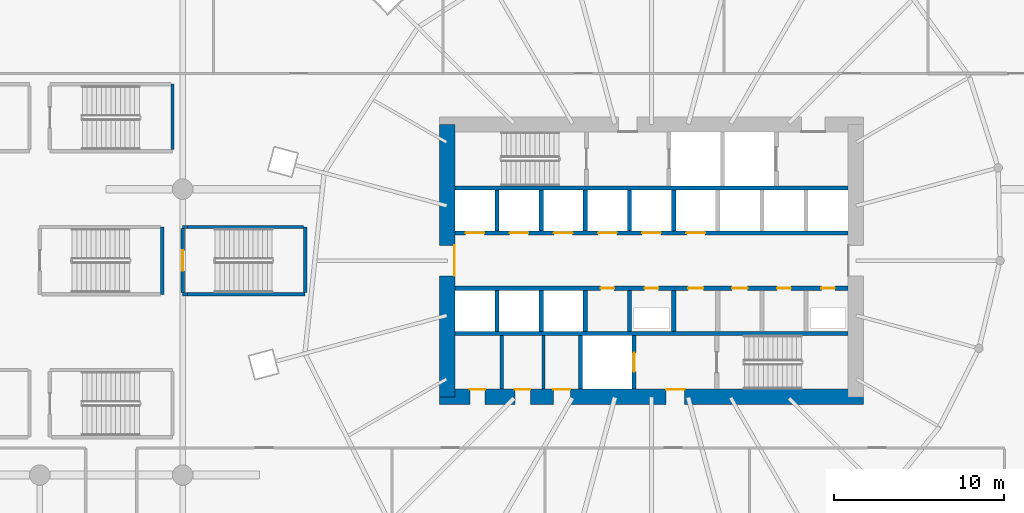
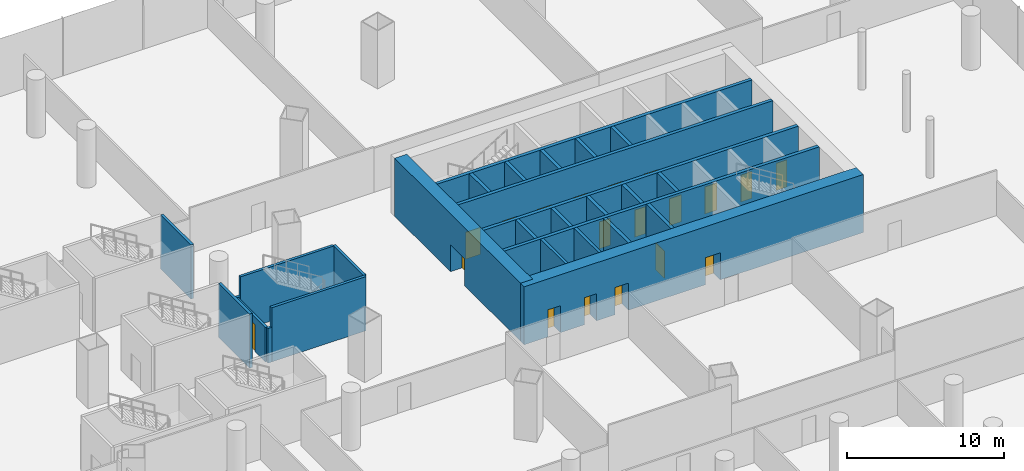
# One storey, part 32 of 43: 28 walls, 19 doors, 19 openings.
"""IFC4 building model written with IfcOpenShell, lengths in metres."""

from ifc_helpers import new_model, si_unit, direction, frame, frame_2d, origin, place, context, subcontext, project, spatial, rectangle, extrude, material, layer, layer_set, type_object, element, fill, save


model = new_model("IFC4")

# Units and contexts
model_context = context("Model", 3, precision=1e-05, world=origin(), true_north=direction((0.0, 1.0)))
body_context = subcontext(model_context, "Body", "Model", "MODEL_VIEW")
ifc_project = project(units=[si_unit("LENGTHUNIT", "METRE"), si_unit("AREAUNIT", "SQUARE_METRE"), si_unit("VOLUMEUNIT", "CUBIC_METRE"), si_unit("PLANEANGLEUNIT", "RADIAN"), si_unit("MASSUNIT", "GRAM", prefix="KILO")], contexts=[model_context])

# Site, building, storey
site_placement = place(None, origin())
site = spatial("IfcSite", under=ifc_project, at=site_placement, CompositionType="ELEMENT")
building_placement = place(site_placement, origin())
building = spatial("IfcBuilding", under=site, at=building_placement, Name="Rimbun Link Towers", CompositionType="ELEMENT")
storey_placement = place(building_placement, frame((0.0, 0.0, 12.0)))
storey = spatial("IfcBuildingStorey", under=building, at=storey_placement, Name="L02", CompositionType="ELEMENT", Elevation=12.0)

# Walls
ifc_material_1 = material(Name="Masonry blockwork", Category="masonry")
ifc_layer_1 = layer(ifc_material_1, 0.199951171875)
ifc_layer_set_1 = layer_set([ifc_layer_1], Name="Core partition 200")
wall_type_1 = type_object("IfcWallType", Name="Core partition 200", PredefinedType="PARTITIONING", material=ifc_layer_set_1)
for number, where, z_axis, x_axis, name in (
    (1, (22.949951171875, -4.39990234375, 0.0), (0.0, 0.0, 1.0), (0.0, -1.0, 0.0), "L02 T2 core wall C1"),
    (2, (25.39990234375, -4.39990234375, 0.0), (0.0, 0.0, 1.0), (0.0, -1.0, 0.0), "L02 T2 core wall C2"),
):
    element("IfcWall", number, at=place(storey_placement, frame(where, z_axis=z_axis, x_axis=x_axis)), inside=storey, type_object=wall_type_1, Name=name, PredefinedType="PARTITIONING", context=body_context, shape_type="SweptSolid", body=[
        extrude(rectangle(XDim=3.150146484375, YDim=0.199951171875, at=frame_2d((1.5751953125, 0.0))), origin(), (0.0, 0.0, 1.0), 4.5),
    ])

# Wall, openings, doors
ifc_material_2 = material(Name="Concrete C60/75", Category="concrete")
ifc_layer_2 = layer(ifc_material_2, 0.89990234375)
ifc_layer_set_2 = layer_set([ifc_layer_2], Name="Core shear wall 900")
wall_type_2 = type_object("IfcWallType", Name="Core shear wall 900", PredefinedType="SHEAR", material=ifc_layer_set_2)
wall_1_placement = place(storey_placement, frame((19.300048828125, -8.0, 0.0), z_axis=(0.0, 0.0, 1.0), x_axis=(1.0, 0.0, 0.0)))
wall_1 = element("IfcWall", 3, at=wall_1_placement, inside=storey, type_object=wall_type_2, Name="L02 T2 core wall S", PredefinedType="SHEAR", context=body_context, shape_type="SweptSolid", body=[
    extrude(rectangle(XDim=24.89990234375, YDim=0.89990234375, at=frame_2d((12.449951171875, 0.0))), origin(), (0.0, 0.0, 1.0), 4.5),
])
opening_1_placement = place(wall_1_placement, frame((13.300048828125, 0.0, 0.0)))
opening_1 = element("IfcOpeningElement", 4, at=opening_1_placement, cuts=wall_1, Name="Opening C2DCF01S", PredefinedType="OPENING", context=body_context, shape_type="SweptSolid", body=[
    extrude(rectangle(XDim=1.10009765625, YDim=2.10009765625, at=frame_2d((0.550048828125, 1.050048828125))), frame((0.0, 0.4599609375, 0.0), z_axis=(0.0, -1.0, 0.0), x_axis=(1.0, 0.0, 0.0)), (0.0, 0.0, 1.0), 0.919921875),
])
opening_2_placement = place(wall_1_placement, frame((1.77490234375, 0.0, 0.0)))
opening_2 = element("IfcOpeningElement", 5, at=opening_2_placement, cuts=wall_1, Name="Opening C2DWC02S", PredefinedType="OPENING", context=body_context, shape_type="SweptSolid", body=[
    extrude(rectangle(XDim=0.89990234375, YDim=2.10009765625, at=frame_2d((0.449951171875, 1.050048828125))), frame((0.0, 0.4599609375, 0.0), z_axis=(0.0, -1.0, 0.0), x_axis=(1.0, 0.0, 0.0)), (0.0, 0.0, 1.0), 0.919921875),
])
opening_3_placement = place(wall_1_placement, frame((4.425048828125, 0.0, 0.0)))
opening_3 = element("IfcOpeningElement", 6, at=opening_3_placement, cuts=wall_1, Name="Opening C2DWC03S", PredefinedType="OPENING", context=body_context, shape_type="SweptSolid", body=[
    extrude(rectangle(XDim=0.89990234375, YDim=2.10009765625, at=frame_2d((0.449951171875, 1.050048828125))), frame((0.0, 0.4599609375, 0.0), z_axis=(0.0, -1.0, 0.0), x_axis=(1.0, 0.0, 0.0)), (0.0, 0.0, 1.0), 0.919921875),
])
opening_4_placement = place(wall_1_placement, frame((6.675048828125, 0.0, 0.0)))
opening_4 = element("IfcOpeningElement", 7, at=opening_4_placement, cuts=wall_1, Name="Opening C2DAW04S", PredefinedType="OPENING", context=body_context, shape_type="SweptSolid", body=[
    extrude(rectangle(XDim=1.0, YDim=2.10009765625, at=frame_2d((0.5, 1.050048828125))), frame((0.0, 0.4599609375, 0.0), z_axis=(0.0, -1.0, 0.0), x_axis=(1.0, 0.0, 0.0)), (0.0, 0.0, 1.0), 0.919921875),
])
ifc_material_3 = material(Name="Timber", Category="wood")
door_type_1 = type_object("IfcDoorType", Name="Accessible WC door", OperationType="SINGLE_SWING_LEFT", PredefinedType="DOOR", material=ifc_material_3)
door_1_placement = place(opening_4_placement, origin())
door_1 = element("IfcDoor", 8, at=door_1_placement, inside=storey, type_object=door_type_1, Name="L02 T2 accessible wc door", OperationType="SINGLE_SWING_LEFT", OverallHeight=2.10009765625, OverallWidth=1.0, PredefinedType="DOOR", context=body_context, shape_type="SweptSolid", body=[
    extrude(rectangle(XDim=1.0, YDim=2.10009765625, at=frame_2d((0.5, 1.050048828125))), frame((0.0, 0.4501953125, 0.0), z_axis=(0.0, -1.0, 0.0), x_axis=(1.0, 0.0, 0.0)), (0.0, 0.0, 1.0), 0.050048828125),
])
fill(opening_4, door_1)
ifc_material_4 = material(Name="Steel fire door set", Category="steel")
door_type_2 = type_object("IfcDoorType", Name="Core fire door single", OperationType="SINGLE_SWING_LEFT", PredefinedType="DOOR", material=ifc_material_4)
door_2_placement = place(opening_1_placement, origin())
door_2 = element("IfcDoor", 9, at=door_2_placement, inside=storey, type_object=door_type_2, Name="L02 T2 firefighting lobby s door", OperationType="SINGLE_SWING_RIGHT", OverallHeight=2.10009765625, OverallWidth=1.10009765625, PredefinedType="DOOR", context=body_context, shape_type="SweptSolid", body=[
    extrude(rectangle(XDim=1.10009765625, YDim=2.10009765625, at=frame_2d((0.550048828125, 1.050048828125))), frame((0.0, 0.4501953125, 0.0), z_axis=(0.0, -1.0, 0.0), x_axis=(1.0, 0.0, 0.0)), (0.0, 0.0, 1.0), 0.050048828125),
])
fill(opening_1, door_2)
ifc_material_5 = material(Name="Timber", Category="wood")
door_type_3 = type_object("IfcDoorType", Name="WC door", OperationType="SINGLE_SWING_LEFT", PredefinedType="DOOR", material=ifc_material_5)
door_3_placement = place(opening_2_placement, origin())
door_3 = element("IfcDoor", 10, at=door_3_placement, inside=storey, type_object=door_type_3, Name="L02 T2 male wc door", OperationType="SINGLE_SWING_RIGHT", OverallHeight=2.10009765625, OverallWidth=0.89990234375, PredefinedType="DOOR", context=body_context, shape_type="SweptSolid", body=[
    extrude(rectangle(XDim=0.89990234375, YDim=2.10009765625, at=frame_2d((0.449951171875, 1.050048828125))), frame((0.0, 0.4501953125, 0.0), z_axis=(0.0, -1.0, 0.0), x_axis=(1.0, 0.0, 0.0)), (0.0, 0.0, 1.0), 0.050048828125),
])
fill(opening_2, door_3)
door_4_placement = place(opening_3_placement, origin())
door_4 = element("IfcDoor", 11, at=door_4_placement, inside=storey, type_object=door_type_3, Name="L02 T2 female wc door", OperationType="SINGLE_SWING_RIGHT", OverallHeight=2.10009765625, OverallWidth=0.89990234375, PredefinedType="DOOR", context=body_context, shape_type="SweptSolid", body=[
    extrude(rectangle(XDim=0.89990234375, YDim=2.10009765625, at=frame_2d((0.449951171875, 1.050048828125))), frame((0.0, 0.4501953125, 0.0), z_axis=(0.0, -1.0, 0.0), x_axis=(1.0, 0.0, 0.0)), (0.0, 0.0, 1.0), 0.050048828125),
])
fill(opening_3, door_4)

# Wall, opening, door
wall_2_placement = place(storey_placement, frame((19.75, -8.0, 0.0), z_axis=(0.0, 0.0, 1.0), x_axis=(0.0, 1.0, 0.0)))
wall_2 = element("IfcWall", 12, at=wall_2_placement, inside=storey, type_object=wall_type_2, Name="L02 T2 core wall W", PredefinedType="SHEAR", context=body_context, shape_type="SweptSolid", body=[
    extrude(rectangle(XDim=16.0, YDim=0.89990234375, at=frame_2d((8.0, 0.0))), origin(), (0.0, 0.0, 1.0), 4.5),
])
opening_5_placement = place(wall_2_placement, frame((7.10009765625, 0.0, 0.0)))
opening_5 = element("IfcOpeningElement", 13, at=opening_5_placement, cuts=wall_2, Name="Opening C2DCL01W", PredefinedType="OPENING", context=body_context, shape_type="SweptSolid", body=[
    extrude(rectangle(XDim=1.800048828125, YDim=2.10009765625, at=frame_2d((0.89990234375, 1.050048828125))), frame((0.0, 0.4599609375, 0.0), z_axis=(0.0, -1.0, 0.0), x_axis=(1.0, 0.0, 0.0)), (0.0, 0.0, 1.0), 0.919921875),
])
ifc_material_6 = material(Name="Steel fire door set", Category="steel")
door_type_4 = type_object("IfcDoorType", Name="Core lobby door double", OperationType="DOUBLE_DOOR_SINGLE_SWING", PredefinedType="DOOR", material=ifc_material_6)
door_5_placement = place(opening_5_placement, origin())
door_5 = element("IfcDoor", 14, at=door_5_placement, inside=storey, type_object=door_type_4, Name="L02 T2 lift lobby door", OperationType="DOUBLE_DOOR_SINGLE_SWING", OverallHeight=2.10009765625, OverallWidth=1.800048828125, PredefinedType="DOOR", context=body_context, shape_type="SweptSolid", body=[
    extrude(rectangle(XDim=1.800048828125, YDim=2.10009765625, at=frame_2d((0.89990234375, 1.050048828125))), frame((0.0, -0.39990234375, 0.0), z_axis=(0.0, -1.0, 0.0), x_axis=(1.0, 0.0, 0.0)), (0.0, 0.0, 1.0), 0.050048828125),
])
fill(opening_5, door_5)

# Walls
ifc_material_7 = material(Name="Concrete C60/75", Category="concrete")
ifc_layer_3 = layer(ifc_material_7, 0.25)
ifc_layer_set_3 = layer_set([ifc_layer_3], Name="Shaft wall 250")
wall_type_3 = type_object("IfcWallType", Name="Shaft wall 250", PredefinedType="SHEAR", material=ifc_layer_set_3)
for number, where, z_axis, x_axis, name in (
    (15, (20.199951171875, 4.27490234375, 0.0), (0.0, 0.0, 1.0), (1.0, 0.0, 0.0), "L02 T2 core wall BN"),
    (16, (20.199951171875, -4.27490234375, 0.0), (0.0, 0.0, 1.0), (1.0, 0.0, 0.0), "L02 T2 core wall BS"),
):
    element("IfcWall", number, at=place(storey_placement, frame(where, z_axis=z_axis, x_axis=x_axis)), inside=storey, type_object=wall_type_3, Name=name, PredefinedType="SHEAR", context=body_context, shape_type="SweptSolid", body=[
        extrude(rectangle(XDim=23.10009765625, YDim=0.25, at=frame_2d((11.550048828125, 0.0))), origin(), (0.0, 0.0, 1.0), 4.5),
    ])

# Wall, openings, doors
wall_3_placement = place(storey_placement, frame((20.199951171875, 1.625, 0.0), z_axis=(0.0, 0.0, 1.0), x_axis=(1.0, 0.0, 0.0)))
wall_3 = element("IfcWall", 17, at=wall_3_placement, inside=storey, type_object=wall_type_3, Name="L02 T2 core wall FN", PredefinedType="SHEAR", context=body_context, shape_type="SweptSolid", body=[
    extrude(rectangle(XDim=23.10009765625, YDim=0.25, at=frame_2d((11.550048828125, 0.0))), origin(), (0.0, 0.0, 1.0), 4.5),
])
opening_6_placement = place(wall_3_placement, frame((0.622314453125, 0.0, 0.0)))
opening_6 = element("IfcOpeningElement", 18, at=opening_6_placement, cuts=wall_3, Name="Opening LD-T2-LR1", PredefinedType="OPENING", context=body_context, shape_type="SweptSolid", body=[
    extrude(rectangle(XDim=1.10009765625, YDim=2.10009765625, at=frame_2d((0.550048828125, 1.050048828125))), frame((0.0, 0.135009765625, 0.0), z_axis=(0.0, -1.0, 0.0), x_axis=(1.0, 0.0, 0.0)), (0.0, 0.0, 1.0), 0.27001953125),
])
opening_7_placement = place(wall_3_placement, frame((3.216796875, 0.0, 0.0)))
opening_7 = element("IfcOpeningElement", 19, at=opening_7_placement, cuts=wall_3, Name="Opening LD-T2-LR2", PredefinedType="OPENING", context=body_context, shape_type="SweptSolid", body=[
    extrude(rectangle(XDim=1.10009765625, YDim=2.10009765625, at=frame_2d((0.550048828125, 1.050048828125))), frame((0.0, 0.135009765625, 0.0), z_axis=(0.0, -1.0, 0.0), x_axis=(1.0, 0.0, 0.0)), (0.0, 0.0, 1.0), 0.27001953125),
])
opening_8_placement = place(wall_3_placement, frame((5.81103515625, 0.0, 0.0)))
opening_8 = element("IfcOpeningElement", 20, at=opening_8_placement, cuts=wall_3, Name="Opening LD-T2-LR3", PredefinedType="OPENING", context=body_context, shape_type="SweptSolid", body=[
    extrude(rectangle(XDim=1.10009765625, YDim=2.10009765625, at=frame_2d((0.550048828125, 1.050048828125))), frame((0.0, 0.135009765625, 0.0), z_axis=(0.0, -1.0, 0.0), x_axis=(1.0, 0.0, 0.0)), (0.0, 0.0, 1.0), 0.27001953125),
])
opening_9_placement = place(wall_3_placement, frame((8.405517578125, 0.0, 0.0)))
opening_9 = element("IfcOpeningElement", 21, at=opening_9_placement, cuts=wall_3, Name="Opening LD-T2-LR4", PredefinedType="OPENING", context=body_context, shape_type="SweptSolid", body=[
    extrude(rectangle(XDim=1.10009765625, YDim=2.10009765625, at=frame_2d((0.550048828125, 1.050048828125))), frame((0.0, 0.135009765625, 0.0), z_axis=(0.0, -1.0, 0.0), x_axis=(1.0, 0.0, 0.0)), (0.0, 0.0, 1.0), 0.27001953125),
])
opening_10_placement = place(wall_3_placement, frame((11.0, 0.0, 0.0)))
opening_10 = element("IfcOpeningElement", 22, at=opening_10_placement, cuts=wall_3, Name="Opening LD-T2-LR5", PredefinedType="OPENING", context=body_context, shape_type="SweptSolid", body=[
    extrude(rectangle(XDim=1.10009765625, YDim=2.10009765625, at=frame_2d((0.550048828125, 1.050048828125))), frame((0.0, 0.135009765625, 0.0), z_axis=(0.0, -1.0, 0.0), x_axis=(1.0, 0.0, 0.0)), (0.0, 0.0, 1.0), 0.27001953125),
])
opening_11_placement = place(wall_3_placement, frame((13.594482421875, 0.0, 0.0)))
opening_11 = element("IfcOpeningElement", 23, at=opening_11_placement, cuts=wall_3, Name="Opening LD-T2-LR6", PredefinedType="OPENING", context=body_context, shape_type="SweptSolid", body=[
    extrude(rectangle(XDim=1.10009765625, YDim=2.10009765625, at=frame_2d((0.550048828125, 1.050048828125))), frame((0.0, 0.135009765625, 0.0), z_axis=(0.0, -1.0, 0.0), x_axis=(1.0, 0.0, 0.0)), (0.0, 0.0, 1.0), 0.27001953125),
])
ifc_material_8 = material(Name="Stainless steel grade 316", Category="steel")
door_type_5 = type_object("IfcDoorType", Name="Lift landing door", OperationType="DOUBLE_DOOR_SLIDING", PredefinedType="DOOR", material=ifc_material_8)
door_6_placement = place(opening_6_placement, origin())
door_6 = element("IfcDoor", 24, at=door_6_placement, inside=storey, type_object=door_type_5, Name="L02 T2 lift LR1 landing door", OperationType="DOUBLE_DOOR_SLIDING", OverallHeight=2.10009765625, OverallWidth=1.10009765625, PredefinedType="DOOR", context=body_context, shape_type="SweptSolid", body=[
    extrude(rectangle(XDim=1.10009765625, YDim=2.10009765625, at=frame_2d((0.550048828125, 1.050048828125))), frame((0.0, 0.02490234375, 0.0), z_axis=(0.0, -1.0, 0.0), x_axis=(1.0, 0.0, 0.0)), (0.0, 0.0, 1.0), 0.050048828125),
])
fill(opening_6, door_6)
door_7_placement = place(opening_7_placement, origin())
door_7 = element("IfcDoor", 25, at=door_7_placement, inside=storey, type_object=door_type_5, Name="L02 T2 lift LR2 landing door", OperationType="DOUBLE_DOOR_SLIDING", OverallHeight=2.10009765625, OverallWidth=1.10009765625, PredefinedType="DOOR", context=body_context, shape_type="SweptSolid", body=[
    extrude(rectangle(XDim=1.10009765625, YDim=2.10009765625, at=frame_2d((0.550048828125, 1.050048828125))), frame((0.0, 0.02490234375, 0.0), z_axis=(0.0, -1.0, 0.0), x_axis=(1.0, 0.0, 0.0)), (0.0, 0.0, 1.0), 0.050048828125),
])
fill(opening_7, door_7)
door_8_placement = place(opening_8_placement, origin())
door_8 = element("IfcDoor", 26, at=door_8_placement, inside=storey, type_object=door_type_5, Name="L02 T2 lift LR3 landing door", OperationType="DOUBLE_DOOR_SLIDING", OverallHeight=2.10009765625, OverallWidth=1.10009765625, PredefinedType="DOOR", context=body_context, shape_type="SweptSolid", body=[
    extrude(rectangle(XDim=1.10009765625, YDim=2.10009765625, at=frame_2d((0.550048828125, 1.050048828125))), frame((0.0, 0.02490234375, 0.0), z_axis=(0.0, -1.0, 0.0), x_axis=(1.0, 0.0, 0.0)), (0.0, 0.0, 1.0), 0.050048828125),
])
fill(opening_8, door_8)
door_9_placement = place(opening_9_placement, origin())
door_9 = element("IfcDoor", 27, at=door_9_placement, inside=storey, type_object=door_type_5, Name="L02 T2 lift LR4 landing door", OperationType="DOUBLE_DOOR_SLIDING", OverallHeight=2.10009765625, OverallWidth=1.10009765625, PredefinedType="DOOR", context=body_context, shape_type="SweptSolid", body=[
    extrude(rectangle(XDim=1.10009765625, YDim=2.10009765625, at=frame_2d((0.550048828125, 1.050048828125))), frame((0.0, 0.02490234375, 0.0), z_axis=(0.0, -1.0, 0.0), x_axis=(1.0, 0.0, 0.0)), (0.0, 0.0, 1.0), 0.050048828125),
])
fill(opening_9, door_9)
door_10_placement = place(opening_10_placement, origin())
door_10 = element("IfcDoor", 28, at=door_10_placement, inside=storey, type_object=door_type_5, Name="L02 T2 lift LR5 landing door", OperationType="DOUBLE_DOOR_SLIDING", OverallHeight=2.10009765625, OverallWidth=1.10009765625, PredefinedType="DOOR", context=body_context, shape_type="SweptSolid", body=[
    extrude(rectangle(XDim=1.10009765625, YDim=2.10009765625, at=frame_2d((0.550048828125, 1.050048828125))), frame((0.0, 0.02490234375, 0.0), z_axis=(0.0, -1.0, 0.0), x_axis=(1.0, 0.0, 0.0)), (0.0, 0.0, 1.0), 0.050048828125),
])
fill(opening_10, door_10)
door_11_placement = place(opening_11_placement, origin())
door_11 = element("IfcDoor", 29, at=door_11_placement, inside=storey, type_object=door_type_5, Name="L02 T2 lift LR6 landing door", OperationType="DOUBLE_DOOR_SLIDING", OverallHeight=2.10009765625, OverallWidth=1.10009765625, PredefinedType="DOOR", context=body_context, shape_type="SweptSolid", body=[
    extrude(rectangle(XDim=1.10009765625, YDim=2.10009765625, at=frame_2d((0.550048828125, 1.050048828125))), frame((0.0, 0.02490234375, 0.0), z_axis=(0.0, -1.0, 0.0), x_axis=(1.0, 0.0, 0.0)), (0.0, 0.0, 1.0), 0.050048828125),
])
fill(opening_11, door_11)

wall_4_placement = place(storey_placement, frame((20.199951171875, -1.625, 0.0), z_axis=(0.0, 0.0, 1.0), x_axis=(1.0, 0.0, 0.0)))
wall_4 = element("IfcWall", 30, at=wall_4_placement, inside=storey, type_object=wall_type_3, Name="L02 T2 core wall FS", PredefinedType="SHEAR", context=body_context, shape_type="SweptSolid", body=[
    extrude(rectangle(XDim=23.10009765625, YDim=0.25, at=frame_2d((11.550048828125, 0.0))), origin(), (0.0, 0.0, 1.0), 4.5),
])
opening_12_placement = place(wall_4_placement, frame((8.5556640625, 0.0, 0.0)))
opening_12 = element("IfcOpeningElement", 31, at=opening_12_placement, cuts=wall_4, Name="Opening C2DRA01FS", PredefinedType="OPENING", context=body_context, shape_type="SweptSolid", body=[
    extrude(rectangle(XDim=0.800048828125, YDim=2.10009765625, at=frame_2d((0.39990234375, 1.050048828125))), frame((0.0, 0.135009765625, 0.0), z_axis=(0.0, -1.0, 0.0), x_axis=(1.0, 0.0, 0.0)), (0.0, 0.0, 1.0), 0.27001953125),
])
opening_13_placement = place(wall_4_placement, frame((11.14990234375, 0.0, 0.0)))
opening_13 = element("IfcOpeningElement", 32, at=opening_13_placement, cuts=wall_4, Name="Opening C2DRA02FS", PredefinedType="OPENING", context=body_context, shape_type="SweptSolid", body=[
    extrude(rectangle(XDim=0.800048828125, YDim=2.10009765625, at=frame_2d((0.39990234375, 1.050048828125))), frame((0.0, 0.135009765625, 0.0), z_axis=(0.0, -1.0, 0.0), x_axis=(1.0, 0.0, 0.0)), (0.0, 0.0, 1.0), 0.27001953125),
])
opening_14_placement = place(wall_4_placement, frame((13.6943359375, 0.0, 0.0)))
opening_14 = element("IfcOpeningElement", 33, at=opening_14_placement, cuts=wall_4, Name="Opening C2DRS03FS", PredefinedType="OPENING", context=body_context, shape_type="SweptSolid", body=[
    extrude(rectangle(XDim=0.89990234375, YDim=2.10009765625, at=frame_2d((0.449951171875, 1.050048828125))), frame((0.0, 0.135009765625, 0.0), z_axis=(0.0, -1.0, 0.0), x_axis=(1.0, 0.0, 0.0)), (0.0, 0.0, 1.0), 0.27001953125),
])
opening_15_placement = place(wall_4_placement, frame((16.288818359375, 0.0, 0.0)))
opening_15 = element("IfcOpeningElement", 34, at=opening_15_placement, cuts=wall_4, Name="Opening C2DRS04FS", PredefinedType="OPENING", context=body_context, shape_type="SweptSolid", body=[
    extrude(rectangle(XDim=0.89990234375, YDim=2.10009765625, at=frame_2d((0.449951171875, 1.050048828125))), frame((0.0, 0.135009765625, 0.0), z_axis=(0.0, -1.0, 0.0), x_axis=(1.0, 0.0, 0.0)), (0.0, 0.0, 1.0), 0.27001953125),
])
opening_16_placement = place(wall_4_placement, frame((18.933349609375, 0.0, 0.0)))
opening_16 = element("IfcOpeningElement", 35, at=opening_16_placement, cuts=wall_4, Name="Opening C2DRA05FS", PredefinedType="OPENING", context=body_context, shape_type="SweptSolid", body=[
    extrude(rectangle(XDim=0.800048828125, YDim=2.10009765625, at=frame_2d((0.39990234375, 1.050048828125))), frame((0.0, 0.135009765625, 0.0), z_axis=(0.0, -1.0, 0.0), x_axis=(1.0, 0.0, 0.0)), (0.0, 0.0, 1.0), 0.27001953125),
])
opening_17_placement = place(wall_4_placement, frame((21.52783203125, 0.0, 0.0)))
opening_17 = element("IfcOpeningElement", 36, at=opening_17_placement, cuts=wall_4, Name="Opening C2DRA06FS", PredefinedType="OPENING", context=body_context, shape_type="SweptSolid", body=[
    extrude(rectangle(XDim=0.800048828125, YDim=2.10009765625, at=frame_2d((0.39990234375, 1.050048828125))), frame((0.0, 0.135009765625, 0.0), z_axis=(0.0, -1.0, 0.0), x_axis=(1.0, 0.0, 0.0)), (0.0, 0.0, 1.0), 0.27001953125),
])
ifc_material_9 = material(Name="Steel fire door set", Category="steel")
door_type_6 = type_object("IfcDoorType", Name="Core riser door", OperationType="SINGLE_SWING_LEFT", PredefinedType="DOOR", material=ifc_material_9)
door_12_placement = place(opening_14_placement, origin())
door_12 = element("IfcDoor", 37, at=door_12_placement, inside=storey, type_object=door_type_6, Name="L02 T2 staff store door", OperationType="SINGLE_SWING_LEFT", OverallHeight=2.10009765625, OverallWidth=0.89990234375, PredefinedType="DOOR", context=body_context, shape_type="SweptSolid", body=[
    extrude(rectangle(XDim=0.89990234375, YDim=2.10009765625, at=frame_2d((0.449951171875, 1.050048828125))), frame((0.0, 0.02490234375, 0.0), z_axis=(0.0, -1.0, 0.0), x_axis=(1.0, 0.0, 0.0)), (0.0, 0.0, 1.0), 0.050048828125),
])
fill(opening_14, door_12)
door_13_placement = place(opening_15_placement, origin())
door_13 = element("IfcDoor", 38, at=door_13_placement, inside=storey, type_object=door_type_6, Name="L02 T2 it cupboard door", OperationType="SINGLE_SWING_LEFT", OverallHeight=2.10009765625, OverallWidth=0.89990234375, PredefinedType="DOOR", context=body_context, shape_type="SweptSolid", body=[
    extrude(rectangle(XDim=0.89990234375, YDim=2.10009765625, at=frame_2d((0.449951171875, 1.050048828125))), frame((0.0, 0.02490234375, 0.0), z_axis=(0.0, -1.0, 0.0), x_axis=(1.0, 0.0, 0.0)), (0.0, 0.0, 1.0), 0.050048828125),
])
fill(opening_15, door_13)
ifc_material_10 = material(Name="Steel fire door set", Category="steel")
door_type_7 = type_object("IfcDoorType", Name="Riser access door 800 x 2100", OperationType="SINGLE_SWING_LEFT", PredefinedType="DOOR", material=ifc_material_10)
door_14_placement = place(opening_12_placement, origin())
door_14 = element("IfcDoor", 39, at=door_14_placement, inside=storey, type_object=door_type_7, Name="L02 T2 electrical room door", OperationType="SINGLE_SWING_LEFT", OverallHeight=2.10009765625, OverallWidth=0.800048828125, PredefinedType="DOOR", context=body_context, shape_type="SweptSolid", body=[
    extrude(rectangle(XDim=0.800048828125, YDim=2.10009765625, at=frame_2d((0.39990234375, 1.050048828125))), frame((0.0, 0.02490234375, 0.0), z_axis=(0.0, -1.0, 0.0), x_axis=(1.0, 0.0, 0.0)), (0.0, 0.0, 1.0), 0.050048828125),
])
fill(opening_12, door_14)
door_15_placement = place(opening_13_placement, origin())
door_15 = element("IfcDoor", 40, at=door_15_placement, inside=storey, type_object=door_type_7, Name="L02 T2 riser cupboard door", OperationType="SINGLE_SWING_RIGHT", OverallHeight=2.10009765625, OverallWidth=0.800048828125, PredefinedType="DOOR", context=body_context, shape_type="SweptSolid", body=[
    extrude(rectangle(XDim=0.800048828125, YDim=2.10009765625, at=frame_2d((0.39990234375, 1.050048828125))), frame((0.0, 0.02490234375, 0.0), z_axis=(0.0, -1.0, 0.0), x_axis=(1.0, 0.0, 0.0)), (0.0, 0.0, 1.0), 0.050048828125),
])
fill(opening_13, door_15)
door_16_placement = place(opening_16_placement, origin())
door_16 = element("IfcDoor", 41, at=door_16_placement, inside=storey, type_object=door_type_7, Name="L02 T2 electrical room door", OperationType="SINGLE_SWING_LEFT", OverallHeight=2.10009765625, OverallWidth=0.800048828125, PredefinedType="DOOR", context=body_context, shape_type="SweptSolid", body=[
    extrude(rectangle(XDim=0.800048828125, YDim=2.10009765625, at=frame_2d((0.39990234375, 1.050048828125))), frame((0.0, 0.02490234375, 0.0), z_axis=(0.0, -1.0, 0.0), x_axis=(1.0, 0.0, 0.0)), (0.0, 0.0, 1.0), 0.050048828125),
])
fill(opening_16, door_16)
door_17_placement = place(opening_17_placement, origin())
door_17 = element("IfcDoor", 42, at=door_17_placement, inside=storey, type_object=door_type_7, Name="L02 T2 riser cupboard door", OperationType="SINGLE_SWING_LEFT", OverallHeight=2.10009765625, OverallWidth=0.800048828125, PredefinedType="DOOR", context=body_context, shape_type="SweptSolid", body=[
    extrude(rectangle(XDim=0.800048828125, YDim=2.10009765625, at=frame_2d((0.39990234375, 1.050048828125))), frame((0.0, 0.02490234375, 0.0), z_axis=(0.0, -1.0, 0.0), x_axis=(1.0, 0.0, 0.0)), (0.0, 0.0, 1.0), 0.050048828125),
])
fill(opening_17, door_17)

# Walls
for number, where, z_axis, x_axis, name in (
    (43, (22.66943359375, 1.75, 0.0), (0.0, 0.0, 1.0), (0.0, 1.0, 0.0), "L02 T2 core wall DN0"),
    (44, (25.263916015625, 1.75, 0.0), (0.0, 0.0, 1.0), (0.0, 1.0, 0.0), "L02 T2 core wall DN1"),
    (45, (27.8583984375, 1.75, 0.0), (0.0, 0.0, 1.0), (0.0, 1.0, 0.0), "L02 T2 core wall DN2"),
    (46, (30.452880859375, 1.75, 0.0), (0.0, 0.0, 1.0), (0.0, 1.0, 0.0), "L02 T2 core wall DN3"),
    (47, (33.047119140625, 1.75, 0.0), (0.0, 0.0, 1.0), (0.0, 1.0, 0.0), "L02 T2 core wall DN4"),
    (48, (22.66943359375, -4.14990234375, 0.0), (0.0, 0.0, 1.0), (0.0, 1.0, 0.0), "L02 T2 core wall DS0"),
    (49, (25.263916015625, -4.14990234375, 0.0), (0.0, 0.0, 1.0), (0.0, 1.0, 0.0), "L02 T2 core wall DS1"),
    (50, (27.8583984375, -4.14990234375, 0.0), (0.0, 0.0, 1.0), (0.0, 1.0, 0.0), "L02 T2 core wall DS2"),
    (51, (30.452880859375, -4.14990234375, 0.0), (0.0, 0.0, 1.0), (0.0, 1.0, 0.0), "L02 T2 core wall DS3"),
    (52, (33.047119140625, -4.14990234375, 0.0), (0.0, 0.0, 1.0), (0.0, 1.0, 0.0), "L02 T2 core wall DS4"),
):
    element("IfcWall", number, at=place(storey_placement, frame(where, z_axis=z_axis, x_axis=x_axis)), inside=storey, type_object=wall_type_3, Name=name, PredefinedType="SHEAR", context=body_context, shape_type="SweptSolid", body=[
        extrude(rectangle(XDim=2.39990234375, YDim=0.25, at=frame_2d((1.199951171875, 0.0))), origin(), (0.0, 0.0, 1.0), 4.5),
    ])

# Wall, opening, door
wall_5_placement = place(storey_placement, frame((30.72509765625, -4.39990234375, 0.0), z_axis=(0.0, 0.0, 1.0), x_axis=(0.0, -1.0, 0.0)))
wall_5 = element("IfcWall", 53, at=wall_5_placement, inside=storey, type_object=wall_type_3, Name="L02 T2 core wall B2", PredefinedType="SHEAR", context=body_context, shape_type="SweptSolid", body=[
    extrude(rectangle(XDim=3.150146484375, YDim=0.25, at=frame_2d((1.5751953125, 0.0))), origin(), (0.0, 0.0, 1.0), 4.5),
])
opening_18_placement = place(wall_5_placement, frame((1.02490234375, 0.0, 0.0)))
opening_18 = element("IfcOpeningElement", 54, at=opening_18_placement, cuts=wall_5, Name="Opening LD-T2-FF2", PredefinedType="OPENING", context=body_context, shape_type="SweptSolid", body=[
    extrude(rectangle(XDim=1.10009765625, YDim=2.10009765625, at=frame_2d((0.550048828125, 1.050048828125))), frame((0.0, 0.135009765625, 0.0), z_axis=(0.0, -1.0, 0.0), x_axis=(1.0, 0.0, 0.0)), (0.0, 0.0, 1.0), 0.27001953125),
])
door_18_placement = place(opening_18_placement, origin())
door_18 = element("IfcDoor", 55, at=door_18_placement, inside=storey, type_object=door_type_5, Name="L02 T2 lift FF2 landing door", OperationType="DOUBLE_DOOR_SLIDING", OverallHeight=2.10009765625, OverallWidth=1.10009765625, PredefinedType="DOOR", context=body_context, shape_type="SweptSolid", body=[
    extrude(rectangle(XDim=1.10009765625, YDim=2.10009765625, at=frame_2d((0.550048828125, 1.050048828125))), frame((0.0, 0.02490234375, 0.0), z_axis=(0.0, -1.0, 0.0), x_axis=(1.0, 0.0, 0.0)), (0.0, 0.0, 1.0), 0.050048828125),
])
fill(opening_18, door_18)

# Walls
wall_6_placement = place(storey_placement, frame((27.574951171875, -4.39990234375, 0.0), z_axis=(0.0, 0.0, 1.0), x_axis=(0.0, -1.0, 0.0)))
element("IfcWall", 56, at=wall_6_placement, inside=storey, type_object=wall_type_3, Name="L02 T2 core wall B3", PredefinedType="SHEAR", context=body_context, shape_type="SweptSolid", body=[
    extrude(rectangle(XDim=3.150146484375, YDim=0.25, at=frame_2d((1.5751953125, 0.0))), origin(), (0.0, 0.0, 1.0), 4.5),
])
ifc_material_11 = material(Name="Concrete C40/50", Category="concrete")
ifc_layer_4 = layer(ifc_material_11, 0.199951171875)
ifc_layer_set_4 = layer_set([ifc_layer_4], Name="Stair shaft wall 200")
wall_type_4 = type_object("IfcWallType", Name="Stair shaft wall 200", PredefinedType="SOLIDWALL", material=ifc_layer_set_4)
wall_7_placement = place(storey_placement, frame((3.60009765625, 6.52490234375, 0.0), z_axis=(0.0, 0.0, 1.0), x_axis=(0.0, 1.0, 0.0)))
element("IfcWall", 57, at=wall_7_placement, inside=storey, type_object=wall_type_4, Name="PD/PW/L02/014", PredefinedType="SOLIDWALL", context=body_context, shape_type="SweptSolid", body=[
    extrude(rectangle(XDim=3.85009765625, YDim=0.199951171875, at=frame_2d((1.925048828125, 0.0))), origin(), (0.0, 0.0, 1.0), 4.199951171875),
])
wall_8_placement = place(storey_placement, frame((4.199951171875, -1.97509765625, 0.0), z_axis=(0.0, 0.0, 1.0), x_axis=(1.0, 0.0, 0.0)))
element("IfcWall", 58, at=wall_8_placement, inside=storey, type_object=wall_type_4, Name="PD/PW/L02/017", PredefinedType="SOLIDWALL", context=body_context, shape_type="SweptSolid", body=[
    extrude(rectangle(XDim=0.27001953125, YDim=0.199951171875, at=frame_2d((0.135009765625, 0.0))), origin(), (0.0, 0.0, 1.0), 2.679931640625),
])
wall_9_placement = place(storey_placement, frame((4.469970703125, -1.97509765625, 0.0), z_axis=(0.0, 0.0, 1.0), x_axis=(1.0, 0.0, 0.0)))
element("IfcWall", 59, at=wall_9_placement, inside=storey, type_object=wall_type_4, Name="PD/PW/L02/017b", PredefinedType="SOLIDWALL", context=body_context, shape_type="SweptSolid", body=[
    extrude(rectangle(XDim=6.929931640625, YDim=0.199951171875, at=frame_2d((3.46484375, 0.0))), origin(), (0.0, 0.0, 1.0), 4.199951171875),
])
wall_10_placement = place(storey_placement, frame((11.39990234375, -1.875, 0.0), z_axis=(0.0, 0.0, 1.0), x_axis=(0.0, 1.0, 0.0)))
element("IfcWall", 60, at=wall_10_placement, inside=storey, type_object=wall_type_4, Name="PD/PW/L02/018", PredefinedType="SOLIDWALL", context=body_context, shape_type="SweptSolid", body=[
    extrude(rectangle(XDim=3.85009765625, YDim=0.199951171875, at=frame_2d((1.925048828125, 0.0))), origin(), (0.0, 0.0, 1.0), 4.199951171875),
])
wall_11_placement = place(storey_placement, frame((11.300048828125, 1.97509765625, 0.0), z_axis=(0.0, 0.0, 1.0), x_axis=(-1.0, 0.0, 0.0)))
element("IfcWall", 61, at=wall_11_placement, inside=storey, type_object=wall_type_4, Name="PD/PW/L02/019", PredefinedType="SOLIDWALL", context=body_context, shape_type="SweptSolid", body=[
    extrude(rectangle(XDim=6.830078125, YDim=0.199951171875, at=frame_2d((3.4150390625, 0.0))), origin(), (0.0, 0.0, 1.0), 4.199951171875),
])
wall_12_placement = place(storey_placement, frame((4.469970703125, 1.97509765625, 0.0), z_axis=(0.0, 0.0, 1.0), x_axis=(-1.0, 0.0, 0.0)))
element("IfcWall", 62, at=wall_12_placement, inside=storey, type_object=wall_type_4, Name="PD/PW/L02/019b", PredefinedType="SOLIDWALL", context=body_context, shape_type="SweptSolid", body=[
    extrude(rectangle(XDim=0.27001953125, YDim=0.199951171875, at=frame_2d((0.135009765625, 0.0))), origin(), (0.0, 0.0, 1.0), 2.679931640625),
])

# Wall, opening, door
wall_13_placement = place(storey_placement, frame((4.199951171875, 1.875, 0.0), z_axis=(0.0, 0.0, 1.0), x_axis=(0.0, -1.0, 0.0)))
wall_13 = element("IfcWall", 63, at=wall_13_placement, inside=storey, type_object=wall_type_4, Name="PD/PW/L02/020", PredefinedType="SOLIDWALL", context=body_context, shape_type="SweptSolid", body=[
    extrude(rectangle(XDim=3.75, YDim=0.199951171875, at=frame_2d((1.875, 0.0))), origin(), (0.0, 0.0, 1.0), 2.679931640625),
])
opening_19_placement = place(wall_13_placement, frame((1.27490234375, 0.0, 0.0)))
opening_19 = element("IfcOpeningElement", 64, at=opening_19_placement, cuts=wall_13, Name="Opening PD DS5", PredefinedType="OPENING", context=body_context, shape_type="SweptSolid", body=[
    extrude(rectangle(XDim=1.199951171875, YDim=2.10009765625, at=frame_2d((0.60009765625, 1.050048828125))), frame((0.0, 0.10986328125, 0.0), z_axis=(0.0, -1.0, 0.0), x_axis=(1.0, 0.0, 0.0)), (0.0, 0.0, 1.0), 0.219970703125),
])
ifc_material_12 = material(Name="Steel fire door set", Category="steel")
door_type_8 = type_object("IfcDoorType", Name="Stair door", OperationType="SINGLE_SWING_LEFT", PredefinedType="DOOR", material=ifc_material_12)
door_19_placement = place(opening_19_placement, frame((1.199951171875, 0.0, 0.0), z_axis=(0.0, 0.0, 1.0), x_axis=(-1.0, 0.0, 0.0)))
door_19 = element("IfcDoor", 65, at=door_19_placement, inside=storey, type_object=door_type_8, Name="PD/DR/L02/S5", OperationType="SINGLE_SWING_LEFT", OverallHeight=2.10009765625, OverallWidth=1.199951171875, PredefinedType="DOOR", context=body_context, shape_type="SweptSolid", body=[
    extrude(rectangle(XDim=1.199951171875, YDim=2.10009765625, at=frame_2d((0.60009765625, 1.050048828125))), frame((0.0, 0.02490234375, 0.0), z_axis=(0.0, -1.0, 0.0), x_axis=(1.0, 0.0, 0.0)), (0.0, 0.0, 1.0), 0.050048828125),
])
fill(opening_19, door_19)

# Wall
wall_14_placement = place(storey_placement, frame((3.0, -1.97509765625, 0.0), z_axis=(0.0, 0.0, 1.0), x_axis=(0.0, 1.0, 0.0)))
element("IfcWall", 66, at=wall_14_placement, inside=storey, type_object=wall_type_4, Name="PD/PW/L02/021", PredefinedType="SOLIDWALL", context=body_context, shape_type="SweptSolid", body=[
    extrude(rectangle(XDim=3.9501953125, YDim=0.199951171875, at=frame_2d((1.97509765625, 0.0))), origin(), (0.0, 0.0, 1.0), 4.199951171875),
])

save(model, "model.ifc")
